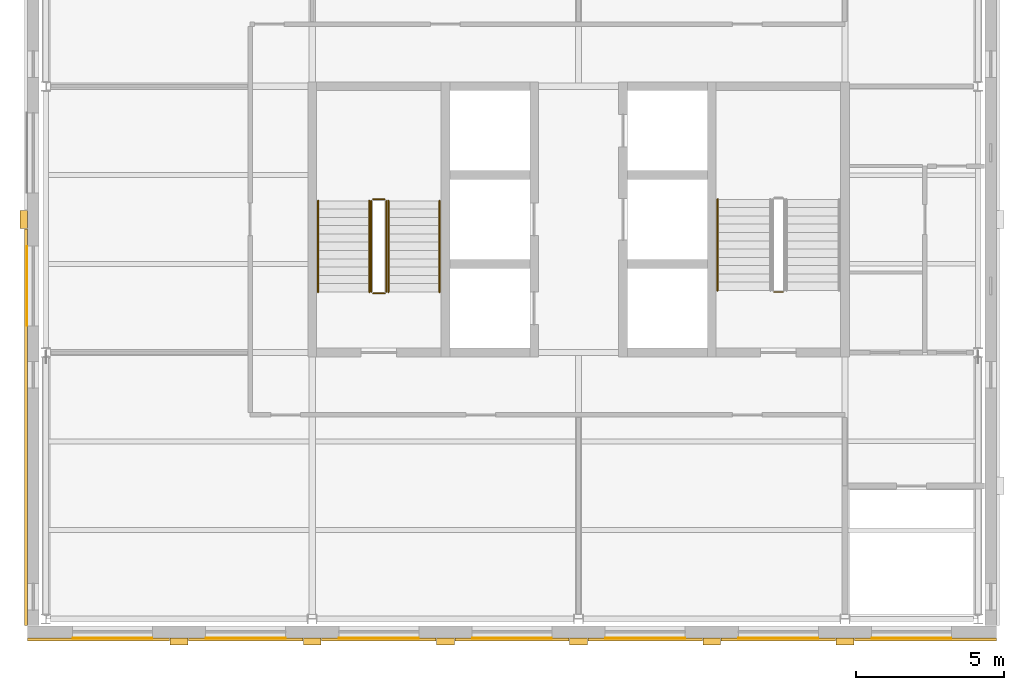
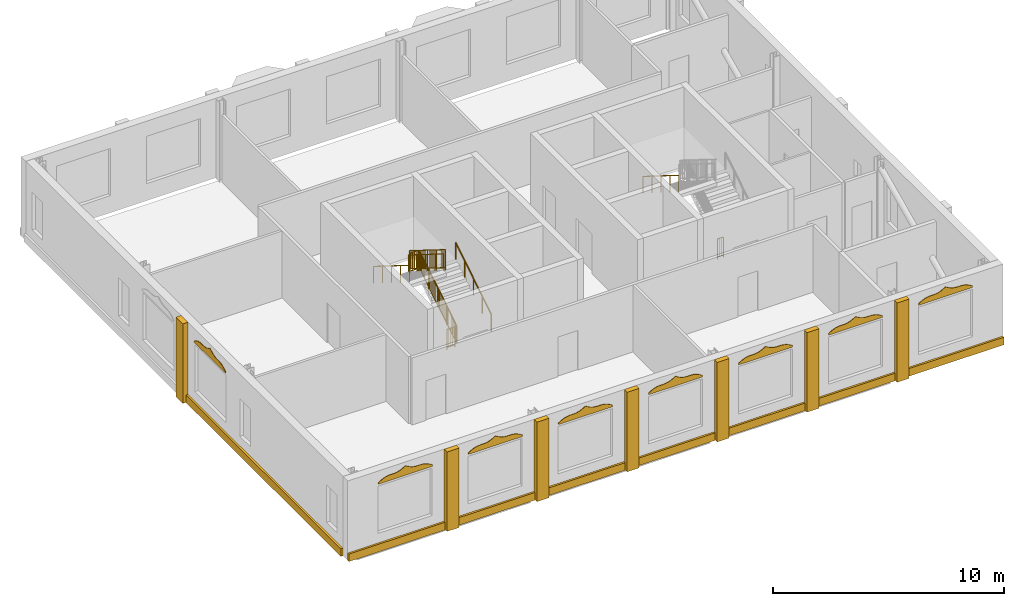
# One storey, part 8 of 9: 23 coverings, 10 railings.
"""IFC4 building model written with IfcOpenShell, lengths in metres."""

from ifc_helpers import new_model, si_unit, direction, frame, origin, origin_2d, place, context, subcontext, project, spatial, polyline, rectangle, circle, outline, extrude, material, layer, layer_set, type_object, element, save


model = new_model("IFC4")

# Units and contexts
model_context = context("Model", 3, precision=1e-05, world=origin(), true_north=direction((0.0, 1.0)))
body_context = subcontext(model_context, "Body", "Model", "MODEL_VIEW")
ifc_project = project(units=[si_unit("LENGTHUNIT", "METRE"), si_unit("AREAUNIT", "SQUARE_METRE"), si_unit("VOLUMEUNIT", "CUBIC_METRE"), si_unit("PLANEANGLEUNIT", "RADIAN"), si_unit("MASSUNIT", "GRAM", prefix="KILO")], contexts=[model_context])

# Site, building, storey
site_placement = place(None, origin())
site = spatial("IfcSite", under=ifc_project, at=site_placement, CompositionType="ELEMENT")
building_placement = place(site_placement, origin())
building = spatial("IfcBuilding", under=site, at=building_placement, Name="Hortulan Conservatory and Botanical Research Centre", CompositionType="ELEMENT")
storey_placement = place(building_placement, frame((0.0, 0.0, 48.60009765625)))
storey = spatial("IfcBuildingStorey", under=building, at=storey_placement, Name="L11", CompositionType="ELEMENT", Elevation=48.60009765625)

# Coverings
ifc_material_1 = material(Name="Faience cladding, cream glaze (non-combustible)", Category="ceramic")
ifc_layer_1 = layer(ifc_material_1, 0.030029296875)
ifc_layer_set_1 = layer_set([ifc_layer_1], Name="Faience Ogee Head Panel Cream 2700x500")
covering_type_1 = type_object("IfcCoveringType", Name="Faience Ogee Head Panel Cream 2700x500", PredefinedType="CLADDING", material=ifc_layer_set_1)
for number, where, z_axis, x_axis, name in (
    (1, (8.10009765625, -0.65087890625, 3.52001953125), (0.0, 0.0, 1.0), (-1.0, 0.0, 0.0), "Ogee head panel"),
    (2, (12.60009765625, -0.65087890625, 3.52001953125), (0.0, 0.0, 1.0), (-1.0, 0.0, 0.0), "Ogee head panel"),
    (3, (-0.639892578125, 9.89990234375, 3.52001953125), (0.0, 0.0, 1.0), (0.0, 1.0, 0.0), "Ogee head panel"),
):
    element("IfcCovering", number, at=place(storey_placement, frame(where, z_axis=z_axis, x_axis=x_axis)), inside=storey, type_object=covering_type_1, Name=name, PredefinedType="CLADDING", context=body_context, shape_type="SweptSolid", body=[
        extrude(outline(polyline([(0.0, 0.0), (2.699951171875, 0.0), (2.699951171875, 0.079833984375), (2.58740234375, 0.1484375), (2.47509765625, 0.2080078125), (2.362548828125, 0.252197265625), (2.25, 0.278076171875), (2.137451171875, 0.28857421875), (2.02490234375, 0.289794921875), (1.91259765625, 0.291259765625), (1.800048828125, 0.3017578125), (1.6875, 0.32763671875), (1.574951171875, 0.37158203125), (1.46240234375, 0.431396484375), (1.35009765625, 0.5), (1.237548828125, 0.431396484375), (1.125, 0.37158203125), (1.012451171875, 0.32763671875), (0.89990234375, 0.3017578125), (0.78759765625, 0.291259765625), (0.675048828125, 0.289794921875), (0.5625, 0.28857421875), (0.449951171875, 0.278076171875), (0.33740234375, 0.252197265625), (0.22509765625, 0.2080078125), (0.112548828125, 0.1484375), (0.0, 0.079833984375), (0.0, 0.0)])), frame((0.0, 0.01513671875, 0.0), z_axis=(0.0, -1.0, 0.0), x_axis=(1.0, 0.0, 0.0)), (0.0, 0.0, 1.0), 0.030029296875),
    ])
ifc_material_2 = material(Name="Faience cladding, waratah crimson glaze (non-combustible)", Category="ceramic")
ifc_layer_2 = layer(ifc_material_2, 0.030029296875)
ifc_layer_set_2 = layer_set([ifc_layer_2], Name="Faience Ogee Head Panel Crimson 2700x500")
covering_type_2 = type_object("IfcCoveringType", Name="Faience Ogee Head Panel Crimson 2700x500", PredefinedType="CLADDING", material=ifc_layer_set_2)
for number, where, z_axis, x_axis, name in (
    (4, (17.10009765625, -0.65087890625, 3.52001953125), (0.0, 0.0, 1.0), (-1.0, 0.0, 0.0), "Ogee head panel"),
    (5, (21.60009765625, -0.65087890625, 3.52001953125), (0.0, 0.0, 1.0), (-1.0, 0.0, 0.0), "Ogee head panel"),
):
    element("IfcCovering", number, at=place(storey_placement, frame(where, z_axis=z_axis, x_axis=x_axis)), inside=storey, type_object=covering_type_2, Name=name, PredefinedType="CLADDING", context=body_context, shape_type="SweptSolid", body=[
        extrude(outline(polyline([(0.0, 0.0), (2.699951171875, 0.0), (2.699951171875, 0.079833984375), (2.58740234375, 0.1484375), (2.47509765625, 0.2080078125), (2.362548828125, 0.252197265625), (2.25, 0.278076171875), (2.137451171875, 0.28857421875), (2.02490234375, 0.289794921875), (1.91259765625, 0.291259765625), (1.800048828125, 0.3017578125), (1.6875, 0.32763671875), (1.574951171875, 0.37158203125), (1.46240234375, 0.431396484375), (1.35009765625, 0.5), (1.237548828125, 0.431396484375), (1.125, 0.37158203125), (1.012451171875, 0.32763671875), (0.89990234375, 0.3017578125), (0.78759765625, 0.291259765625), (0.675048828125, 0.289794921875), (0.5625, 0.28857421875), (0.449951171875, 0.278076171875), (0.33740234375, 0.252197265625), (0.22509765625, 0.2080078125), (0.112548828125, 0.1484375), (0.0, 0.079833984375), (0.0, 0.0)])), frame((0.0, 0.01513671875, 0.0), z_axis=(0.0, -1.0, 0.0), x_axis=(1.0, 0.0, 0.0)), (0.0, 0.0, 1.0), 0.030029296875),
    ])
ifc_material_3 = material(Name="Faience cladding, harbour teal glaze (non-combustible)", Category="ceramic")
ifc_layer_3 = layer(ifc_material_3, 0.030029296875)
ifc_layer_set_3 = layer_set([ifc_layer_3], Name="Faience Ogee Head Panel Teal 2700x500")
covering_type_3 = type_object("IfcCoveringType", Name="Faience Ogee Head Panel Teal 2700x500", PredefinedType="CLADDING", material=ifc_layer_set_3)
for number, where, z_axis, x_axis, name in (
    (6, (3.60009765625, -0.65087890625, 3.52001953125), (0.0, 0.0, 1.0), (-1.0, 0.0, 0.0), "Ogee head panel"),
    (7, (26.10009765625, -0.65087890625, 3.52001953125), (0.0, 0.0, 1.0), (-1.0, 0.0, 0.0), "Ogee head panel"),
    (8, (30.60009765625, -0.65087890625, 3.52001953125), (0.0, 0.0, 1.0), (-1.0, 0.0, 0.0), "Ogee head panel"),
):
    element("IfcCovering", number, at=place(storey_placement, frame(where, z_axis=z_axis, x_axis=x_axis)), inside=storey, type_object=covering_type_3, Name=name, PredefinedType="CLADDING", context=body_context, shape_type="SweptSolid", body=[
        extrude(outline(polyline([(0.0, 0.0), (2.699951171875, 0.0), (2.699951171875, 0.079833984375), (2.58740234375, 0.1484375), (2.47509765625, 0.2080078125), (2.362548828125, 0.252197265625), (2.25, 0.278076171875), (2.137451171875, 0.28857421875), (2.02490234375, 0.289794921875), (1.91259765625, 0.291259765625), (1.800048828125, 0.3017578125), (1.6875, 0.32763671875), (1.574951171875, 0.37158203125), (1.46240234375, 0.431396484375), (1.35009765625, 0.5), (1.237548828125, 0.431396484375), (1.125, 0.37158203125), (1.012451171875, 0.32763671875), (0.89990234375, 0.3017578125), (0.78759765625, 0.291259765625), (0.675048828125, 0.289794921875), (0.5625, 0.28857421875), (0.449951171875, 0.278076171875), (0.33740234375, 0.252197265625), (0.22509765625, 0.2080078125), (0.112548828125, 0.1484375), (0.0, 0.079833984375), (0.0, 0.0)])), frame((0.0, 0.01513671875, 0.0), z_axis=(0.0, -1.0, 0.0), x_axis=(1.0, 0.0, 0.0)), (0.0, 0.0, 1.0), 0.030029296875),
    ])
ifc_layer_4 = layer(ifc_material_1, 0.25)
ifc_layer_set_4 = layer_set([ifc_layer_4], Name="Faience Pilaster 600x250")
covering_type_4 = type_object("IfcCoveringType", Name="Faience Pilaster 600x250", PredefinedType="CLADDING", material=ifc_layer_set_4)
for number, where, z_axis, x_axis, name in (
    (9, (27.0, -0.760986328125, 0.0), (0.0, 0.0, 1.0), (-1.0, 0.0, 0.0), "Pier"),
    (10, (22.5, -0.760986328125, 0.0), (0.0, 0.0, 1.0), (-1.0, 0.0, 0.0), "Pier"),
    (11, (18.0, -0.760986328125, 0.0), (0.0, 0.0, 1.0), (-1.0, 0.0, 0.0), "Pier"),
    (12, (13.5, -0.760986328125, 0.0), (0.0, 0.0, 1.0), (-1.0, 0.0, 0.0), "Pier"),
    (13, (9.0, -0.760986328125, 0.0), (0.0, 0.0, 1.0), (-1.0, 0.0, 0.0), "Pier"),
    (14, (4.5, -0.760986328125, 0.0), (0.0, 0.0, 1.0), (-1.0, 0.0, 0.0), "Pier"),
    (15, (-0.75, 13.5, 0.0), (0.0, 0.0, 1.0), (0.0, 1.0, 0.0), "Pier"),
):
    element("IfcCovering", number, at=place(storey_placement, frame(where, z_axis=z_axis, x_axis=x_axis)), inside=storey, type_object=covering_type_4, Name=name, PredefinedType="CLADDING", context=body_context, shape_type="SweptSolid", body=[
        extrude(rectangle(XDim=0.60009765625, YDim=0.25, at=origin_2d()), origin(), (0.0, 0.0, 1.0), 4.199951171875),
    ])
ifc_layer_5 = layer(ifc_material_3, 0.10009765625)
ifc_layer_set_5 = layer_set([ifc_layer_5], Name="Faience String Course 400x100 Teal")
covering_type_5 = type_object("IfcCoveringType", Name="Faience String Course 400x100 Teal", PredefinedType="CLADDING", material=ifc_layer_set_5)
covering_1_placement = place(storey_placement, frame((29.722412109375, -0.68603515625, 0.0), z_axis=(0.0, 0.0, 1.0), x_axis=(-1.0, 0.0, 0.0)))
element("IfcCovering", 16, at=covering_1_placement, inside=storey, type_object=covering_type_5, Name="String course", PredefinedType="CLADDING", context=body_context, shape_type="SweptSolid", body=[
    extrude(rectangle(XDim=4.804931640625, YDim=0.10009765625, at=origin_2d()), origin(), (0.0, 0.0, 1.0), 0.39990234375),
])
for number, where, z_axis, x_axis, name in (
    (17, (24.75, -0.68603515625, 0.0), (0.0, 0.0, 1.0), (-1.0, 0.0, 0.0), "String course"),
    (18, (20.25, -0.68603515625, 0.0), (0.0, 0.0, 1.0), (-1.0, 0.0, 0.0), "String course"),
    (19, (15.75, -0.68603515625, 0.0), (0.0, 0.0, 1.0), (-1.0, 0.0, 0.0), "String course"),
    (20, (11.25, -0.68603515625, 0.0), (0.0, 0.0, 1.0), (-1.0, 0.0, 0.0), "String course"),
    (21, (6.75, -0.68603515625, 0.0), (0.0, 0.0, 1.0), (-1.0, 0.0, 0.0), "String course"),
):
    element("IfcCovering", number, at=place(storey_placement, frame(where, z_axis=z_axis, x_axis=x_axis)), inside=storey, type_object=covering_type_5, Name=name, PredefinedType="CLADDING", context=body_context, shape_type="SweptSolid", body=[
        extrude(rectangle(XDim=3.860107421875, YDim=0.10009765625, at=origin_2d()), origin(), (0.0, 0.0, 1.0), 0.39990234375),
    ])
covering_2_placement = place(storey_placement, frame((1.777587890625, -0.68603515625, 0.0), z_axis=(0.0, 0.0, 1.0), x_axis=(-1.0, 0.0, 0.0)))
element("IfcCovering", 22, at=covering_2_placement, inside=storey, type_object=covering_type_5, Name="String course", PredefinedType="CLADDING", context=body_context, shape_type="SweptSolid", body=[
    extrude(rectangle(XDim=4.804931640625, YDim=0.10009765625, at=origin_2d()), origin(), (0.0, 0.0, 1.0), 0.39990234375),
])
covering_3_placement = place(storey_placement, frame((-0.675048828125, 6.4775390625, 0.0), z_axis=(0.0, 0.0, 1.0), x_axis=(0.0, 1.0, 0.0)))
element("IfcCovering", 23, at=covering_3_placement, inside=storey, type_object=covering_type_5, Name="String course", PredefinedType="CLADDING", context=body_context, shape_type="SweptSolid", body=[
    extrude(rectangle(XDim=13.405029296875, YDim=0.10009765625, at=origin_2d()), origin(), (0.0, 0.0, 1.0), 0.39990234375),
])

# Railings
ifc_material_4 = material(Name="Steel balustrade, bronze-charcoal paint", Category="steel")
railing_type_1 = type_object("IfcRailingType", Name="Stair Guard 1100", PredefinedType="GUARDRAIL", material=ifc_material_4)
railing_1_placement = place(storey_placement, frame((11.5, 11.050048828125, 0.1748046875)))
element("IfcRailing", 24, at=railing_1_placement, inside=storey, type_object=railing_type_1, Name="Guard T1 L11 stair 1", PredefinedType="GUARDRAIL", context=body_context, shape_type="SweptSolid", body=[
    extrude(circle(Radius=0.02392578125, at=origin_2d()), frame((0.0, 0.0, 1.076171875), z_axis=(0.0, 0.847979421464, 0.530029150871), x_axis=(-1.0, 0.0, 0.0)), (0.0, 0.0, 1.0), 3.632080078125),
    extrude(circle(Radius=0.02392578125, at=origin_2d()), frame((0.0, 0.0, 0.1240234375), z_axis=(0.0, 0.847979421464, 0.530029150871), x_axis=(-1.0, 0.0, 0.0)), (0.0, 0.0, 1.0), 3.632080078125),
    extrude(circle(Radius=0.008056640625, at=origin_2d()), frame((0.0, 0.090576171875, 0.204833984375)), (0.0, 0.0, 1.0), 0.90380859375),
    extrude(circle(Radius=0.008056640625, at=origin_2d()), frame((0.0, 0.18115234375, 0.261474609375)), (0.0, 0.0, 1.0), 0.90380859375),
    extrude(circle(Radius=0.008056640625, at=origin_2d()), frame((0.0, 0.271728515625, 0.318115234375)), (0.0, 0.0, 1.0), 0.90380859375),
    extrude(circle(Radius=0.008056640625, at=origin_2d()), frame((0.0, 0.3623046875, 0.374755859375)), (0.0, 0.0, 1.0), 0.90380859375),
    extrude(circle(Radius=0.008056640625, at=origin_2d()), frame((0.0, 0.452880859375, 0.431396484375)), (0.0, 0.0, 1.0), 0.90380859375),
    extrude(circle(Radius=0.008056640625, at=origin_2d()), frame((0.0, 0.54345703125, 0.48779296875)), (0.0, 0.0, 1.0), 0.90380859375),
    extrude(circle(Radius=0.008056640625, at=origin_2d()), frame((0.0, 0.634033203125, 0.54443359375)), (0.0, 0.0, 1.0), 0.90380859375),
    extrude(circle(Radius=0.008056640625, at=origin_2d()), frame((0.0, 0.724609375, 0.60107421875)), (0.0, 0.0, 1.0), 0.90380859375),
    extrude(circle(Radius=0.008056640625, at=origin_2d()), frame((0.0, 0.815185546875, 0.65771484375)), (0.0, 0.0, 1.0), 0.90380859375),
    extrude(circle(Radius=0.008056640625, at=origin_2d()), frame((0.0, 0.90576171875, 0.71435546875)), (0.0, 0.0, 1.0), 0.90380859375),
    extrude(circle(Radius=0.008056640625, at=origin_2d()), frame((0.0, 0.996337890625, 0.77099609375)), (0.0, 0.0, 1.0), 0.90380859375),
    extrude(circle(Radius=0.008056640625, at=origin_2d()), frame((0.0, 1.0869140625, 0.82763671875)), (0.0, 0.0, 1.0), 0.90380859375),
    extrude(circle(Radius=0.008056640625, at=origin_2d()), frame((0.0, 1.177490234375, 0.88427734375)), (0.0, 0.0, 1.0), 0.90380859375),
    extrude(circle(Radius=0.008056640625, at=origin_2d()), frame((0.0, 1.26806640625, 0.94091796875)), (0.0, 0.0, 1.0), 0.90380859375),
    extrude(circle(Radius=0.008056640625, at=origin_2d()), frame((0.0, 1.358642578125, 0.99755859375)), (0.0, 0.0, 1.0), 0.90380859375),
    extrude(circle(Radius=0.008056640625, at=origin_2d()), frame((0.0, 1.44921875, 1.05419921875)), (0.0, 0.0, 1.0), 0.90380859375),
    extrude(circle(Radius=0.008056640625, at=origin_2d()), frame((0.0, 1.5400390625, 1.11083984375)), (0.0, 0.0, 1.0), 0.90380859375),
    extrude(circle(Radius=0.008056640625, at=origin_2d()), frame((0.0, 1.630615234375, 1.167236328125)), (0.0, 0.0, 1.0), 0.90380859375),
    extrude(circle(Radius=0.008056640625, at=origin_2d()), frame((0.0, 1.72119140625, 1.223876953125)), (0.0, 0.0, 1.0), 0.90380859375),
    extrude(circle(Radius=0.008056640625, at=origin_2d()), frame((0.0, 1.811767578125, 1.280517578125)), (0.0, 0.0, 1.0), 0.90380859375),
    extrude(circle(Radius=0.008056640625, at=origin_2d()), frame((0.0, 1.90234375, 1.337158203125)), (0.0, 0.0, 1.0), 0.90380859375),
    extrude(circle(Radius=0.008056640625, at=origin_2d()), frame((0.0, 1.992919921875, 1.393798828125)), (0.0, 0.0, 1.0), 0.90380859375),
    extrude(circle(Radius=0.008056640625, at=origin_2d()), frame((0.0, 2.08349609375, 1.450439453125)), (0.0, 0.0, 1.0), 0.90380859375),
    extrude(circle(Radius=0.008056640625, at=origin_2d()), frame((0.0, 2.174072265625, 1.507080078125)), (0.0, 0.0, 1.0), 0.90380859375),
    extrude(circle(Radius=0.008056640625, at=origin_2d()), frame((0.0, 2.2646484375, 1.563720703125)), (0.0, 0.0, 1.0), 0.90380859375),
    extrude(circle(Radius=0.008056640625, at=origin_2d()), frame((0.0, 2.355224609375, 1.620361328125)), (0.0, 0.0, 1.0), 0.90380859375),
    extrude(circle(Radius=0.008056640625, at=origin_2d()), frame((0.0, 2.44580078125, 1.677001953125)), (0.0, 0.0, 1.0), 0.90380859375),
    extrude(circle(Radius=0.008056640625, at=origin_2d()), frame((0.0, 2.536376953125, 1.733642578125)), (0.0, 0.0, 1.0), 0.90380859375),
    extrude(circle(Radius=0.008056640625, at=origin_2d()), frame((0.0, 2.626953125, 1.7900390625)), (0.0, 0.0, 1.0), 0.90380859375),
    extrude(circle(Radius=0.008056640625, at=origin_2d()), frame((0.0, 2.717529296875, 1.8466796875)), (0.0, 0.0, 1.0), 0.90380859375),
    extrude(circle(Radius=0.008056640625, at=origin_2d()), frame((0.0, 2.80810546875, 1.9033203125)), (0.0, 0.0, 1.0), 0.90380859375),
    extrude(circle(Radius=0.008056640625, at=origin_2d()), frame((0.0, 2.898681640625, 1.9599609375)), (0.0, 0.0, 1.0), 0.90380859375),
    extrude(circle(Radius=0.008056640625, at=origin_2d()), frame((0.0, 2.9892578125, 2.0166015625)), (0.0, 0.0, 1.0), 0.90380859375),
    extrude(circle(Radius=0.02099609375, at=origin_2d()), origin(), (0.0, 0.0, 1.0), 1.052001953125),
    extrude(circle(Radius=0.02099609375, at=origin_2d()), frame((0.0, 0.77001953125, 0.481201171875)), (0.0, 0.0, 1.0), 1.052001953125),
    extrude(circle(Radius=0.02099609375, at=origin_2d()), frame((0.0, 1.5400390625, 0.96240234375)), (0.0, 0.0, 1.0), 1.052001953125),
    extrude(circle(Radius=0.02099609375, at=origin_2d()), frame((0.0, 2.309814453125, 1.44384765625)), (0.0, 0.0, 1.0), 1.052001953125),
    extrude(circle(Radius=0.02099609375, at=origin_2d()), frame((0.0, 3.079833984375, 1.925048828125)), (0.0, 0.0, 1.0), 1.052001953125),
])
railing_2_placement = place(storey_placement, frame((11.449951171875, 14.179931640625, 2.099853515625)))
element("IfcRailing", 25, at=railing_2_placement, inside=storey, type_object=railing_type_1, Name="Guard T1 L11 stair 2", PredefinedType="GUARDRAIL", context=body_context, shape_type="SweptSolid", body=[
    extrude(circle(Radius=0.02392578125, at=origin_2d()), frame((0.0, 0.0, 1.076171875), z_axis=(-1.0, 0.0, 0.0), x_axis=(0.0, -1.0, 0.0)), (0.0, 0.0, 1.0), 0.39990234375),
    extrude(circle(Radius=0.02392578125, at=origin_2d()), frame((0.0, 0.0, 0.1240234375), z_axis=(-1.0, 0.0, 0.0), x_axis=(0.0, -1.0, 0.0)), (0.0, 0.0, 1.0), 0.39990234375),
    extrude(circle(Radius=0.008056640625, at=origin_2d()), frame((-0.10009765625, 0.0, 0.148193359375)), (0.0, 0.0, 1.0), 0.90380859375),
    extrude(circle(Radius=0.008056640625, at=origin_2d()), frame((-0.199951171875, 0.0, 0.148193359375)), (0.0, 0.0, 1.0), 0.90380859375),
    extrude(circle(Radius=0.008056640625, at=origin_2d()), frame((-0.2998046875, 0.0, 0.148193359375)), (0.0, 0.0, 1.0), 0.90380859375),
    extrude(circle(Radius=0.02099609375, at=origin_2d()), origin(), (0.0, 0.0, 1.0), 1.052001953125),
    extrude(circle(Radius=0.02099609375, at=origin_2d()), frame((-0.39990234375, 0.0, 0.0)), (0.0, 0.0, 1.0), 1.052001953125),
])
railing_3_placement = place(storey_placement, frame((11.0, 14.1298828125, 2.27490234375)))
element("IfcRailing", 26, at=railing_3_placement, inside=storey, type_object=railing_type_1, Name="Guard T1 L11 stair 3", PredefinedType="GUARDRAIL", context=body_context, shape_type="SweptSolid", body=[
    extrude(circle(Radius=0.02392578125, at=origin_2d()), frame((0.0, 0.0, 1.076171875), z_axis=(0.0, -0.847979421464, 0.530029150871), x_axis=(1.0, 0.0, 0.0)), (0.0, 0.0, 1.0), 3.632080078125),
    extrude(circle(Radius=0.02392578125, at=origin_2d()), frame((0.0, 0.0, 0.1240234375), z_axis=(0.0, -0.847979421464, 0.530029150871), x_axis=(1.0, 0.0, 0.0)), (0.0, 0.0, 1.0), 3.632080078125),
    extrude(circle(Radius=0.008056640625, at=origin_2d()), frame((0.0, -0.090576171875, 0.204833984375)), (0.0, 0.0, 1.0), 0.90380859375),
    extrude(circle(Radius=0.008056640625, at=origin_2d()), frame((0.0, -0.18115234375, 0.261474609375)), (0.0, 0.0, 1.0), 0.90380859375),
    extrude(circle(Radius=0.008056640625, at=origin_2d()), frame((0.0, -0.271728515625, 0.318115234375)), (0.0, 0.0, 1.0), 0.90380859375),
    extrude(circle(Radius=0.008056640625, at=origin_2d()), frame((0.0, -0.3623046875, 0.374755859375)), (0.0, 0.0, 1.0), 0.90380859375),
    extrude(circle(Radius=0.008056640625, at=origin_2d()), frame((0.0, -0.452880859375, 0.431396484375)), (0.0, 0.0, 1.0), 0.90380859375),
    extrude(circle(Radius=0.008056640625, at=origin_2d()), frame((0.0, -0.54345703125, 0.48779296875)), (0.0, 0.0, 1.0), 0.90380859375),
    extrude(circle(Radius=0.008056640625, at=origin_2d()), frame((0.0, -0.634033203125, 0.54443359375)), (0.0, 0.0, 1.0), 0.90380859375),
    extrude(circle(Radius=0.008056640625, at=origin_2d()), frame((0.0, -0.724609375, 0.60107421875)), (0.0, 0.0, 1.0), 0.90380859375),
    extrude(circle(Radius=0.008056640625, at=origin_2d()), frame((0.0, -0.815185546875, 0.65771484375)), (0.0, 0.0, 1.0), 0.90380859375),
    extrude(circle(Radius=0.008056640625, at=origin_2d()), frame((0.0, -0.90576171875, 0.71435546875)), (0.0, 0.0, 1.0), 0.90380859375),
    extrude(circle(Radius=0.008056640625, at=origin_2d()), frame((0.0, -0.996337890625, 0.77099609375)), (0.0, 0.0, 1.0), 0.90380859375),
    extrude(circle(Radius=0.008056640625, at=origin_2d()), frame((0.0, -1.0869140625, 0.82763671875)), (0.0, 0.0, 1.0), 0.90380859375),
    extrude(circle(Radius=0.008056640625, at=origin_2d()), frame((0.0, -1.177490234375, 0.88427734375)), (0.0, 0.0, 1.0), 0.90380859375),
    extrude(circle(Radius=0.008056640625, at=origin_2d()), frame((0.0, -1.26806640625, 0.94091796875)), (0.0, 0.0, 1.0), 0.90380859375),
    extrude(circle(Radius=0.008056640625, at=origin_2d()), frame((0.0, -1.358642578125, 0.99755859375)), (0.0, 0.0, 1.0), 0.90380859375),
    extrude(circle(Radius=0.008056640625, at=origin_2d()), frame((0.0, -1.44921875, 1.05419921875)), (0.0, 0.0, 1.0), 0.90380859375),
    extrude(circle(Radius=0.008056640625, at=origin_2d()), frame((0.0, -1.5400390625, 1.11083984375)), (0.0, 0.0, 1.0), 0.90380859375),
    extrude(circle(Radius=0.008056640625, at=origin_2d()), frame((0.0, -1.630615234375, 1.167236328125)), (0.0, 0.0, 1.0), 0.90380859375),
    extrude(circle(Radius=0.008056640625, at=origin_2d()), frame((0.0, -1.72119140625, 1.223876953125)), (0.0, 0.0, 1.0), 0.90380859375),
    extrude(circle(Radius=0.008056640625, at=origin_2d()), frame((0.0, -1.811767578125, 1.280517578125)), (0.0, 0.0, 1.0), 0.90380859375),
    extrude(circle(Radius=0.008056640625, at=origin_2d()), frame((0.0, -1.90234375, 1.337158203125)), (0.0, 0.0, 1.0), 0.90380859375),
    extrude(circle(Radius=0.008056640625, at=origin_2d()), frame((0.0, -1.992919921875, 1.393798828125)), (0.0, 0.0, 1.0), 0.90380859375),
    extrude(circle(Radius=0.008056640625, at=origin_2d()), frame((0.0, -2.08349609375, 1.450439453125)), (0.0, 0.0, 1.0), 0.90380859375),
    extrude(circle(Radius=0.008056640625, at=origin_2d()), frame((0.0, -2.174072265625, 1.507080078125)), (0.0, 0.0, 1.0), 0.90380859375),
    extrude(circle(Radius=0.008056640625, at=origin_2d()), frame((0.0, -2.2646484375, 1.563720703125)), (0.0, 0.0, 1.0), 0.90380859375),
    extrude(circle(Radius=0.008056640625, at=origin_2d()), frame((0.0, -2.355224609375, 1.620361328125)), (0.0, 0.0, 1.0), 0.90380859375),
    extrude(circle(Radius=0.008056640625, at=origin_2d()), frame((0.0, -2.44580078125, 1.677001953125)), (0.0, 0.0, 1.0), 0.90380859375),
    extrude(circle(Radius=0.008056640625, at=origin_2d()), frame((0.0, -2.536376953125, 1.733642578125)), (0.0, 0.0, 1.0), 0.90380859375),
    extrude(circle(Radius=0.008056640625, at=origin_2d()), frame((0.0, -2.626953125, 1.7900390625)), (0.0, 0.0, 1.0), 0.90380859375),
    extrude(circle(Radius=0.008056640625, at=origin_2d()), frame((0.0, -2.717529296875, 1.8466796875)), (0.0, 0.0, 1.0), 0.90380859375),
    extrude(circle(Radius=0.008056640625, at=origin_2d()), frame((0.0, -2.80810546875, 1.9033203125)), (0.0, 0.0, 1.0), 0.90380859375),
    extrude(circle(Radius=0.008056640625, at=origin_2d()), frame((0.0, -2.898681640625, 1.9599609375)), (0.0, 0.0, 1.0), 0.90380859375),
    extrude(circle(Radius=0.008056640625, at=origin_2d()), frame((0.0, -2.9892578125, 2.0166015625)), (0.0, 0.0, 1.0), 0.90380859375),
    extrude(circle(Radius=0.02099609375, at=origin_2d()), origin(), (0.0, 0.0, 1.0), 1.052001953125),
    extrude(circle(Radius=0.02099609375, at=origin_2d()), frame((0.0, -0.77001953125, 0.481201171875)), (0.0, 0.0, 1.0), 1.052001953125),
    extrude(circle(Radius=0.02099609375, at=origin_2d()), frame((0.0, -1.5400390625, 0.96240234375)), (0.0, 0.0, 1.0), 1.052001953125),
    extrude(circle(Radius=0.02099609375, at=origin_2d()), frame((0.0, -2.309814453125, 1.44384765625)), (0.0, 0.0, 1.0), 1.052001953125),
    extrude(circle(Radius=0.02099609375, at=origin_2d()), frame((0.0, -3.079833984375, 1.925048828125)), (0.0, 0.0, 1.0), 1.052001953125),
])
railing_4_placement = place(storey_placement, frame((11.449951171875, 11.0, 0.0)))
element("IfcRailing", 27, at=railing_4_placement, inside=storey, type_object=railing_type_1, Name="Guard T1 L11 stair 4", PredefinedType="GUARDRAIL", context=body_context, shape_type="SweptSolid", body=[
    extrude(circle(Radius=0.02392578125, at=origin_2d()), frame((0.0, 0.0, 1.076171875), z_axis=(-1.0, 0.0, 0.0), x_axis=(0.0, -1.0, 0.0)), (0.0, 0.0, 1.0), 0.39990234375),
    extrude(circle(Radius=0.02392578125, at=origin_2d()), frame((0.0, 0.0, 0.1240234375), z_axis=(-1.0, 0.0, 0.0), x_axis=(0.0, -1.0, 0.0)), (0.0, 0.0, 1.0), 0.39990234375),
    extrude(circle(Radius=0.008056640625, at=origin_2d()), frame((-0.10009765625, 0.0, 0.148193359375)), (0.0, 0.0, 1.0), 0.90380859375),
    extrude(circle(Radius=0.008056640625, at=origin_2d()), frame((-0.199951171875, 0.0, 0.148193359375)), (0.0, 0.0, 1.0), 0.90380859375),
    extrude(circle(Radius=0.008056640625, at=origin_2d()), frame((-0.2998046875, 0.0, 0.148193359375)), (0.0, 0.0, 1.0), 0.90380859375),
    extrude(circle(Radius=0.02099609375, at=origin_2d()), origin(), (0.0, 0.0, 1.0), 1.052001953125),
    extrude(circle(Radius=0.02099609375, at=origin_2d()), frame((-0.39990234375, 0.0, 0.0)), (0.0, 0.0, 1.0), 1.052001953125),
])
railing_5_placement = place(storey_placement, frame((24.89990234375, 11.050048828125, 0.0)))
element("IfcRailing", 28, at=railing_5_placement, inside=storey, type_object=railing_type_1, Name="Guard T2 L11 stair 4", PredefinedType="GUARDRAIL", context=body_context, shape_type="SweptSolid", body=[
    extrude(circle(Radius=0.02392578125, at=origin_2d()), frame((0.0, 0.0, 1.076171875), z_axis=(-1.0, 0.0, 0.0), x_axis=(0.0, -1.0, 0.0)), (0.0, 0.0, 1.0), 0.2998046875),
    extrude(circle(Radius=0.02392578125, at=origin_2d()), frame((0.0, 0.0, 0.1240234375), z_axis=(-1.0, 0.0, 0.0), x_axis=(0.0, -1.0, 0.0)), (0.0, 0.0, 1.0), 0.2998046875),
    extrude(circle(Radius=0.008056640625, at=origin_2d()), frame((-0.099853515625, 0.0, 0.148193359375)), (0.0, 0.0, 1.0), 0.90380859375),
    extrude(circle(Radius=0.008056640625, at=origin_2d()), frame((-0.199951171875, 0.0, 0.148193359375)), (0.0, 0.0, 1.0), 0.90380859375),
    extrude(circle(Radius=0.02099609375, at=origin_2d()), origin(), (0.0, 0.0, 1.0), 1.052001953125),
    extrude(circle(Radius=0.02099609375, at=origin_2d()), frame((-0.2998046875, 0.0, 0.0)), (0.0, 0.0, 1.0), 1.052001953125),
])
ifc_material_5 = material(Name="Bronze handrail, polished", Category="metal")
railing_type_2 = type_object("IfcRailingType", Name="Stair Handrail 900", PredefinedType="HANDRAIL", material=ifc_material_5)
railing_6_placement = place(storey_placement, frame((13.300048828125, 11.050048828125, 0.1748046875)))
element("IfcRailing", 29, at=railing_6_placement, inside=storey, type_object=railing_type_2, Name="Handrail T1 L11 stair 1", PredefinedType="HANDRAIL", context=body_context, shape_type="SweptSolid", body=[
    extrude(circle(Radius=0.02392578125, at=origin_2d()), frame((0.0, 0.0, 0.8759765625), z_axis=(0.0, 0.847979421464, 0.530029150871), x_axis=(-1.0, 0.0, 0.0)), (0.0, 0.0, 1.0), 3.632080078125),
    extrude(circle(Radius=0.02099609375, at=origin_2d()), origin(), (0.0, 0.0, 1.0), 0.851806640625),
    extrude(circle(Radius=0.02099609375, at=origin_2d()), frame((0.0, 0.77001953125, 0.481201171875)), (0.0, 0.0, 1.0), 0.851806640625),
    extrude(circle(Radius=0.02099609375, at=origin_2d()), frame((0.0, 1.5400390625, 0.96240234375)), (0.0, 0.0, 1.0), 0.851806640625),
    extrude(circle(Radius=0.02099609375, at=origin_2d()), frame((0.0, 2.309814453125, 1.44384765625)), (0.0, 0.0, 1.0), 0.851806640625),
    extrude(circle(Radius=0.02099609375, at=origin_2d()), frame((0.0, 3.079833984375, 1.925048828125)), (0.0, 0.0, 1.0), 0.851806640625),
])
railing_7_placement = place(storey_placement, frame((9.199951171875, 14.1298828125, 2.27490234375)))
element("IfcRailing", 30, at=railing_7_placement, inside=storey, type_object=railing_type_2, Name="Handrail T1 L11 stair 2", PredefinedType="HANDRAIL", context=body_context, shape_type="SweptSolid", body=[
    extrude(circle(Radius=0.02392578125, at=origin_2d()), frame((0.0, 0.0, 0.8759765625), z_axis=(0.0, -0.847979421464, 0.530029150871), x_axis=(1.0, 0.0, 0.0)), (0.0, 0.0, 1.0), 3.632080078125),
    extrude(circle(Radius=0.02099609375, at=origin_2d()), origin(), (0.0, 0.0, 1.0), 0.851806640625),
    extrude(circle(Radius=0.02099609375, at=origin_2d()), frame((0.0, -0.77001953125, 0.481201171875)), (0.0, 0.0, 1.0), 0.851806640625),
    extrude(circle(Radius=0.02099609375, at=origin_2d()), frame((0.0, -1.5400390625, 0.96240234375)), (0.0, 0.0, 1.0), 0.851806640625),
    extrude(circle(Radius=0.02099609375, at=origin_2d()), frame((0.0, -2.309814453125, 1.44384765625)), (0.0, 0.0, 1.0), 0.851806640625),
    extrude(circle(Radius=0.02099609375, at=origin_2d()), frame((0.0, -3.079833984375, 1.925048828125)), (0.0, 0.0, 1.0), 0.851806640625),
])
railing_8_placement = place(storey_placement, frame((11.570068359375, 11.050048828125, 0.1748046875)))
element("IfcRailing", 31, at=railing_8_placement, inside=storey, type_object=railing_type_2, Name="Handrail T1 L11 stair 3", PredefinedType="HANDRAIL", context=body_context, shape_type="SweptSolid", body=[
    extrude(circle(Radius=0.02392578125, at=origin_2d()), frame((0.0, 0.0, 0.8759765625), z_axis=(0.0, 0.847979421464, 0.530029150871), x_axis=(-1.0, 0.0, 0.0)), (0.0, 0.0, 1.0), 3.632080078125),
    extrude(circle(Radius=0.02099609375, at=origin_2d()), origin(), (0.0, 0.0, 1.0), 0.851806640625),
    extrude(circle(Radius=0.02099609375, at=origin_2d()), frame((0.0, 0.77001953125, 0.481201171875)), (0.0, 0.0, 1.0), 0.851806640625),
    extrude(circle(Radius=0.02099609375, at=origin_2d()), frame((0.0, 1.5400390625, 0.96240234375)), (0.0, 0.0, 1.0), 0.851806640625),
    extrude(circle(Radius=0.02099609375, at=origin_2d()), frame((0.0, 2.309814453125, 1.44384765625)), (0.0, 0.0, 1.0), 0.851806640625),
    extrude(circle(Radius=0.02099609375, at=origin_2d()), frame((0.0, 3.079833984375, 1.925048828125)), (0.0, 0.0, 1.0), 0.851806640625),
])
for number, where, name in (
    (32, (10.929931640625, 14.1298828125, 2.27490234375), "Handrail T1 L11 stair 4"),
    (33, (22.699951171875, 14.179931640625, 2.27490234375), "Handrail T2 L11 stair 2"),
):
    element("IfcRailing", number, at=place(storey_placement, frame(where)), inside=storey, type_object=railing_type_2, Name=name, PredefinedType="HANDRAIL", context=body_context, shape_type="SweptSolid", body=[
        extrude(circle(Radius=0.02392578125, at=origin_2d()), frame((0.0, 0.0, 0.8759765625), z_axis=(0.0, -0.847979421464, 0.530029150871), x_axis=(1.0, 0.0, 0.0)), (0.0, 0.0, 1.0), 3.632080078125),
        extrude(circle(Radius=0.02099609375, at=origin_2d()), origin(), (0.0, 0.0, 1.0), 0.851806640625),
        extrude(circle(Radius=0.02099609375, at=origin_2d()), frame((0.0, -0.77001953125, 0.481201171875)), (0.0, 0.0, 1.0), 0.851806640625),
        extrude(circle(Radius=0.02099609375, at=origin_2d()), frame((0.0, -1.5400390625, 0.96240234375)), (0.0, 0.0, 1.0), 0.851806640625),
        extrude(circle(Radius=0.02099609375, at=origin_2d()), frame((0.0, -2.309814453125, 1.44384765625)), (0.0, 0.0, 1.0), 0.851806640625),
        extrude(circle(Radius=0.02099609375, at=origin_2d()), frame((0.0, -3.079833984375, 1.925048828125)), (0.0, 0.0, 1.0), 0.851806640625),
    ])

save(model, "model.ifc")
